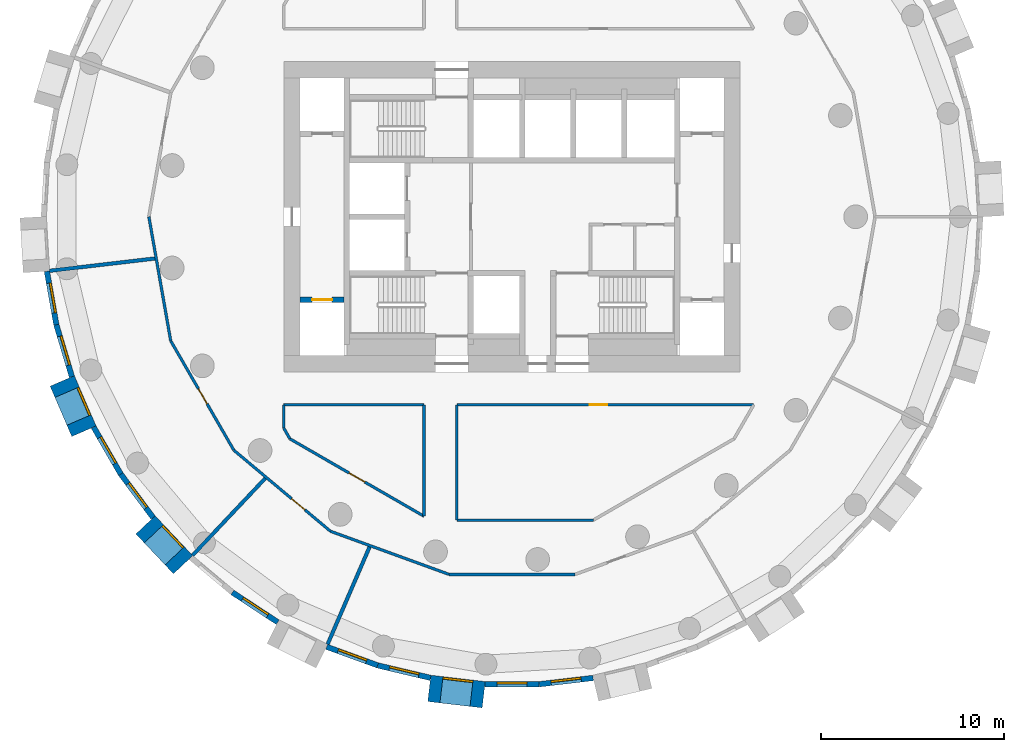
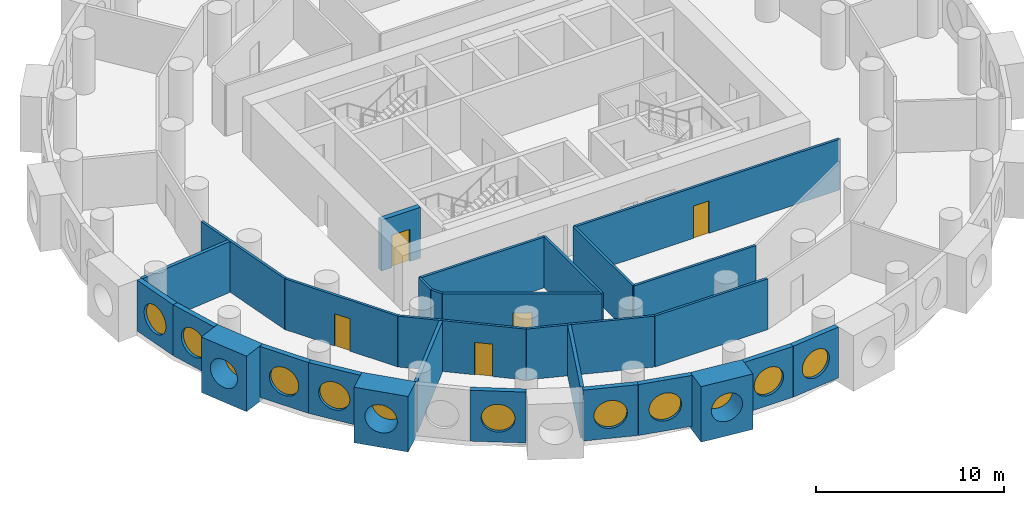
# One storey, part 2 of 9: 29 walls, 12 windows, 5 doors, 17 openings.
"""IFC4 building model written with IfcOpenShell, lengths in metres."""

import ifcopenshell
import ifcopenshell.guid

model = None  # the IFC model being written
_history = None  # IfcOwnerHistory: only IFC2X3 demands one
_inside = {}  # id of a spatial element -> (the spatial element, [elements in it])
_under = {}  # id of a project, library or spatial element -> (it, [spatial elements below it])
_declared = {}  # id of a project -> (the project, [libraries it declares])
_typed = {}  # id of a type object -> (the type object, [elements of that type])
_made_of = {}  # id of a material, layer set ... -> (it, [elements and type objects made of it])


def new_model(schema):
    """Start an empty IFC model of exactly this schema.

    Asked for "IFC4X3", IfcOpenShell would pick the latest addendum, in which some entities
    have other attributes; the version numbers below select the first issue.
    IFC2X3 requires an IfcOwnerHistory on every rooted entity: one is made here for all.
    """
    global model, _history
    if schema == "IFC4X3":
        model = ifcopenshell.file(schema_version=(4, 3, 0, 0))
    else:
        model = ifcopenshell.file(schema=schema)
    _inside.clear()
    _under.clear()
    _declared.clear()
    _typed.clear()
    _made_of.clear()
    _history = None
    if model.schema == "IFC2X3":
        org = make("IfcOrganization", Name="unknown")
        user = make(
            "IfcPersonAndOrganization",
            ThePerson=make("IfcPerson", FamilyName="unknown"),
            TheOrganization=org,
        )
        app = make(
            "IfcApplication",
            ApplicationDeveloper=org,
            Version="unknown",
            ApplicationFullName="unknown",
            ApplicationIdentifier="unknown",
        )
        _history = make(
            "IfcOwnerHistory",
            OwningUser=user,
            OwningApplication=app,
            ChangeAction="ADDED",
            CreationDate=0,
        )
    return model


def make(cls, **values):
    """One entity of the class cls with the attributes given. An attribute that is None is left unset."""
    return model.create_entity(
        cls, **{name: value for name, value in values.items() if value is not None}
    )


def rooted(cls, **values):
    """An entity with a GlobalId (a new one), such as an element, a storey or a relation."""
    return make(cls, GlobalId=ifcopenshell.guid.new(), OwnerHistory=_history, **values)


def si_unit(unit_type, name, prefix=None):
    """IfcSIUnit, for example si_unit("LENGTHUNIT", "METRE", prefix="MILLI")."""
    return make("IfcSIUnit", UnitType=unit_type, Prefix=prefix, Name=name)


def assignment(units):
    """IfcUnitAssignment: the units of a project."""
    return None if units is None else make("IfcUnitAssignment", Units=units)


def point(xyz):
    """IfcCartesianPoint."""
    return None if xyz is None else make("IfcCartesianPoint", Coordinates=xyz)


def direction(xyz):
    """IfcDirection."""
    return None if xyz is None else make("IfcDirection", DirectionRatios=xyz)


def frame(location, z_axis=None, x_axis=None):
    """IfcAxis2Placement3D, a coordinate frame: its origin and axes. An axis left out is left unset."""
    return make(
        "IfcAxis2Placement3D",
        Location=point(location),
        Axis=direction(z_axis),
        RefDirection=direction(x_axis),
    )


def frame_2d(location, x_axis=None):
    """IfcAxis2Placement2D, a coordinate frame in the plane: its origin and x axis."""
    return make(
        "IfcAxis2Placement2D", Location=point(location), RefDirection=direction(x_axis)
    )


def origin():
    """The frame at (0, 0, 0) with its axes left unset."""
    return frame((0.0, 0.0, 0.0))


def origin_2d():
    """The frame at (0, 0) in the plane with its x axis left unset."""
    return frame_2d((0.0, 0.0))


def place(relative_to, where):
    """IfcLocalPlacement: puts the frame where relative to a parent placement (None: the world)."""
    return make(
        "IfcLocalPlacement", PlacementRelTo=relative_to, RelativePlacement=where
    )


def context(
    kind, dimensions, precision=None, world=None, true_north=None, identifier=None
):
    """IfcGeometricRepresentationContext, for example the 3D "Model" context."""
    return make(
        "IfcGeometricRepresentationContext",
        ContextIdentifier=identifier,
        ContextType=kind,
        CoordinateSpaceDimension=dimensions,
        Precision=precision,
        WorldCoordinateSystem=world,
        TrueNorth=true_north,
    )


def subcontext(parent, identifier, kind, view, scale=None):
    """IfcGeometricRepresentationSubContext, for example "Body" below "Model"."""
    return make(
        "IfcGeometricRepresentationSubContext",
        ContextIdentifier=identifier,
        ContextType=kind,
        ParentContext=parent,
        TargetScale=scale,
        TargetView=view,
    )


def project(units=None, contexts=None):
    """IfcProject with its units and contexts."""
    return rooted(
        "IfcProject",
        Name="project",
        RepresentationContexts=contexts,
        UnitsInContext=assignment(units),
    )


def spatial(cls, under=None, at=None, **own):
    """A site, building, storey or space (cls), placed at a placement, below another one or the project."""
    s = rooted(cls, ObjectPlacement=at, **own)
    if under is not None:
        _under.setdefault(under.id(), (under, []))[1].append(s)
    return s


def profile(cls, at=None, kind="AREA", **sizes):
    """A parametric profile (cls). Its sizes go by their IFC names, for example OverallWidth=200.0."""
    return make(cls, ProfileType=kind, Position=at, **sizes)


def rectangle(**sizes):
    """IfcRectangleProfileDef."""
    return profile("IfcRectangleProfileDef", **sizes)


def circle(**sizes):
    """IfcCircleProfileDef."""
    return profile("IfcCircleProfileDef", **sizes)


def extrude(swept, where, along, depth):
    """IfcExtrudedAreaSolid: the profile swept, set in the frame where, extruded along a direction by depth."""
    return make(
        "IfcExtrudedAreaSolid",
        SweptArea=swept,
        Position=where,
        ExtrudedDirection=direction(along),
        Depth=depth,
    )


def shape(context_of_items, identifier, shape_type, items):
    """IfcShapeRepresentation: the items that make up one representation, for example the "Body"."""
    return make(
        "IfcShapeRepresentation",
        ContextOfItems=context_of_items,
        RepresentationIdentifier=identifier,
        RepresentationType=shape_type,
        Items=items,
    )


def material(Name=None, Category=None):
    """IfcMaterial."""
    return make("IfcMaterial", Name=Name, Category=Category)


def layer(
    of_material, thickness, ventilated=None, Name=None, Category=None, Priority=None
):
    """IfcMaterialLayer: one layer of a wall or slab, of a material (None: an air gap)."""
    return make(
        "IfcMaterialLayer",
        Material=of_material,
        LayerThickness=thickness,
        IsVentilated=ventilated,
        Name=Name,
        Category=Category,
        Priority=Priority,
    )


def layer_set(layers, Name=None):
    """IfcMaterialLayerSet."""
    return make("IfcMaterialLayerSet", MaterialLayers=layers, LayerSetName=Name)


def made_of(thing, what):
    """Note that an element or type object is made of a material, layer set ...; save() writes the relation."""
    if what is not None:
        _made_of.setdefault(what.id(), (what, []))[1].append(thing)
    return thing


def type_object(cls, material=None, **own):
    """A type object (cls), such as IfcWallType, which elements share."""
    return made_of(rooted(cls, **own), material)


def element(
    cls,
    number,
    at=None,
    inside=None,
    cuts=None,
    type_object=None,
    material=None,
    context=None,
    identifier="Body",
    shape_type=None,
    held_by="IfcProductDefinitionShape",
    body=None,
    shapes=None,
    **own,
):
    """One element of the class cls, such as IfcWall. Its Tag is "e" and its number.

    at: its placement. inside: the storey or other place that contains it. cuts: it is an
    opening in that element (IfcRelVoidsElement). A single representation is given by context,
    identifier, shape_type and body (its items); several are given by shapes. held_by: the class
    of the entity that holds the representations. save() writes the other relations.
    """
    e = rooted(cls, Tag="e%d" % number, ObjectPlacement=at, **own)
    if body is not None:
        shapes = [shape(context, identifier, shape_type, body)]
    if shapes is not None:
        e.Representation = make(held_by, Representations=shapes)
    if inside is not None:
        _inside.setdefault(inside.id(), (inside, []))[1].append(e)
    if cuts is not None:
        rooted(
            "IfcRelVoidsElement", RelatingBuildingElement=cuts, RelatedOpeningElement=e
        )
    if type_object is not None:
        _typed.setdefault(type_object.id(), (type_object, []))[1].append(e)
    return made_of(e, material)


def fill(opening, filler):
    """IfcRelFillsElement: the door or window that sits in an opening."""
    return rooted(
        "IfcRelFillsElement",
        RelatingOpeningElement=opening,
        RelatedBuildingElement=filler,
    )


def aggregate(whole, parts):
    """IfcRelAggregates: a whole, such as a stair, and the parts it consists of."""
    return rooted("IfcRelAggregates", RelatingObject=whole, RelatedObjects=parts)


def save(model, path):
    """Write the relations noted so far, then the file.

    IfcRelAggregates (storeys below a building ...), IfcRelContainedInSpatialStructure (elements
    in a storey), IfcRelDefinesByType, IfcRelAssociatesMaterial and IfcRelDeclares: one each for
    every whole, place, type object, material and project.
    """
    for whole, parts in _under.values():
        aggregate(whole, parts)
    for where, things in _inside.values():
        rooted(
            "IfcRelContainedInSpatialStructure",
            RelatedElements=things,
            RelatingStructure=where,
        )
    for kind, things in _typed.values():
        rooted("IfcRelDefinesByType", RelatedObjects=things, RelatingType=kind)
    for what, things in _made_of.values():
        rooted("IfcRelAssociatesMaterial", RelatedObjects=things, RelatingMaterial=what)
    for by, libraries in _declared.values():
        rooted("IfcRelDeclares", RelatingContext=by, RelatedDefinitions=libraries)
    model.write(path)


model = new_model("IFC4")

# Units and contexts
model_context = context("Model", 3, precision=1e-05, world=origin(), true_north=direction((0.0, 1.0)))
body_context = subcontext(model_context, "Body", "Model", "MODEL_VIEW")
ifc_project = project(units=[si_unit("LENGTHUNIT", "METRE"), si_unit("AREAUNIT", "SQUARE_METRE"), si_unit("VOLUMEUNIT", "CUBIC_METRE"), si_unit("PLANEANGLEUNIT", "RADIAN"), si_unit("MASSUNIT", "GRAM", prefix="KILO")], contexts=[model_context])

# Site, building, storey
site_placement = place(None, origin())
site = spatial("IfcSite", under=ifc_project, at=site_placement, CompositionType="ELEMENT")
building_placement = place(site_placement, origin())
building = spatial("IfcBuilding", under=site, at=building_placement, Name="Tracery Tower", CompositionType="ELEMENT")
storey_placement = place(building_placement, frame((0.0, 0.0, 147.60009765625)))
storey = spatial("IfcBuildingStorey", under=building, at=storey_placement, Name="L37", CompositionType="ELEMENT", Elevation=147.60009765625)

# Wall, opening, window
ifc_material_1 = material(Name="Precast concrete C50/60", Category="concrete")
ifc_layer_1 = layer(ifc_material_1, 1.449951171875)
ifc_layer_set_1 = layer_set([ifc_layer_1], Name="Deep-set bay unit 3000 x 3600, slab edge 300")
wall_type_1 = type_object("IfcWallType", Name="Deep-set bay unit 3000 x 3600, slab edge 300", PredefinedType="ELEMENTEDWALL", material=ifc_layer_set_1)
wall_1_placement = place(storey_placement, frame((-24.632080078125, -8.99169921875, -0.300048828125), z_axis=(0.0, 0.0, 1.0), x_axis=(0.396079003245, -0.918216435917, 0.0)))
wall_1 = element("IfcWall", 1, at=wall_1_placement, inside=storey, type_object=wall_type_1, Name="Deep-set bay unit 31 at L37", PredefinedType="ELEMENTEDWALL", context=body_context, shape_type="SweptSolid", body=[
    extrude(rectangle(XDim=3.0, YDim=1.449951171875, at=frame_2d((1.5, 0.0))), origin(), (0.0, 0.0, 1.0), 3.599853515625),
])
opening_1_placement = place(wall_1_placement, frame((1.5, 0.0, 1.85009765625)))
opening_1 = element("IfcOpeningElement", 2, at=opening_1_placement, cuts=wall_1, Name="Opening WN1", PredefinedType="OPENING", context=body_context, shape_type="SweptSolid", body=[
    extrude(circle(Radius=0.9000244140625, at=origin_2d()), frame((0.0, 0.73486328125, 0.0), z_axis=(0.0, -1.0, 0.0), x_axis=(1.0, 0.0, 0.0)), (0.0, 0.0, 1.0), 1.469970703125),
])
ifc_material_2 = material(Name="Aluminium frame with tinted double glazing", Category="aluminium")
window_type = type_object("IfcWindowType", Name="Round window 1800", PartitioningType="SINGLE_PANEL", PredefinedType="WINDOW", material=ifc_material_2)
window_1_placement = place(opening_1_placement, origin())
window_1 = element("IfcWindow", 3, at=window_1_placement, inside=storey, type_object=window_type, Name="Round window 31 at L37", OverallHeight=1.800048828125, OverallWidth=1.800048828125, PartitioningType="SINGLE_PANEL", PredefinedType="WINDOW", context=body_context, shape_type="SweptSolid", body=[
    extrude(circle(Radius=0.9000244140625, at=origin_2d()), frame((0.0, 0.69482421875, 0.0), z_axis=(0.0, -1.0, 0.0), x_axis=(1.0, 0.0, 0.0)), (0.0, 0.0, 1.0), 0.10009765625),
])
fill(opening_1, window_1)

wall_2_placement = place(storey_placement, frame((-20.0712890625, -16.8740234375, -0.300048828125), z_axis=(0.0, 0.0, 1.0), x_axis=(0.686217177108, -0.727396718334, 0.0)))
wall_2 = element("IfcWall", 4, at=wall_2_placement, inside=storey, type_object=wall_type_1, Name="Deep-set bay unit 34 at L37", PredefinedType="ELEMENTEDWALL", context=body_context, shape_type="SweptSolid", body=[
    extrude(rectangle(XDim=3.0, YDim=1.449951171875, at=frame_2d((1.5, 0.0))), origin(), (0.0, 0.0, 1.0), 3.599853515625),
])
opening_2_placement = place(wall_2_placement, frame((1.5, 0.0, 1.85009765625)))
opening_2 = element("IfcOpeningElement", 5, at=opening_2_placement, cuts=wall_2, Name="Opening WN1", PredefinedType="OPENING", context=body_context, shape_type="SweptSolid", body=[
    extrude(circle(Radius=0.9000244140625, at=origin_2d()), frame((0.0, 0.73486328125, 0.0), z_axis=(0.0, -1.0, 0.0), x_axis=(1.0, 0.0, 0.0)), (0.0, 0.0, 1.0), 1.469970703125),
])
window_2_placement = place(opening_2_placement, origin())
window_2 = element("IfcWindow", 6, at=window_2_placement, inside=storey, type_object=window_type, Name="Round window 34 at L37", OverallHeight=1.800048828125, OverallWidth=1.800048828125, PartitioningType="SINGLE_PANEL", PredefinedType="WINDOW", context=body_context, shape_type="SweptSolid", body=[
    extrude(circle(Radius=0.9000244140625, at=origin_2d()), frame((0.0, 0.69482421875, 0.0), z_axis=(0.0, -1.0, 0.0), x_axis=(1.0, 0.0, 0.0)), (0.0, 0.0, 1.0), 0.10009765625),
])
fill(opening_2, window_2)

wall_3_placement = place(storey_placement, frame((-4.529052734375, -25.827880859375, -0.300048828125), z_axis=(0.0, 0.0, 1.0), x_axis=(0.9932342274, -0.116128246006, 0.0)))
wall_3 = element("IfcWall", 7, at=wall_3_placement, inside=storey, type_object=wall_type_1, Name="Deep-set bay unit 40 at L37", PredefinedType="ELEMENTEDWALL", context=body_context, shape_type="SweptSolid", body=[
    extrude(rectangle(XDim=3.0, YDim=1.449951171875, at=frame_2d((1.5, 0.0))), origin(), (0.0, 0.0, 1.0), 3.599853515625),
])
opening_3_placement = place(wall_3_placement, frame((1.5, 0.0, 1.85009765625)))
opening_3 = element("IfcOpeningElement", 8, at=opening_3_placement, cuts=wall_3, Name="Opening WN1", PredefinedType="OPENING", context=body_context, shape_type="SweptSolid", body=[
    extrude(circle(Radius=0.9000244140625, at=origin_2d()), frame((0.0, 0.73486328125, 0.0), z_axis=(0.0, -1.0, 0.0), x_axis=(1.0, 0.0, 0.0)), (0.0, 0.0, 1.0), 1.469970703125),
])
window_3_placement = place(opening_3_placement, origin())
window_3 = element("IfcWindow", 9, at=window_3_placement, inside=storey, type_object=window_type, Name="Round window 40 at L37", OverallHeight=1.800048828125, OverallWidth=1.800048828125, PartitioningType="SINGLE_PANEL", PredefinedType="WINDOW", context=body_context, shape_type="SweptSolid", body=[
    extrude(circle(Radius=0.9000244140625, at=origin_2d()), frame((0.0, 0.69482421875, 0.0), z_axis=(0.0, -1.0, 0.0), x_axis=(1.0, 0.0, 0.0)), (0.0, 0.0, 1.0), 0.10009765625),
])
fill(opening_3, window_3)

ifc_material_3 = material(Name="Precast concrete C50/60", Category="concrete")
ifc_layer_2 = layer(ifc_material_3, 0.300048828125)
ifc_layer_set_2 = layer_set([ifc_layer_2], Name="Facade panel 3000 x 3300")
wall_type_2 = type_object("IfcWallType", Name="Facade panel 3000 x 3300", PredefinedType="SOLIDWALL", material=ifc_layer_set_2)
wall_4_placement = place(storey_placement, frame((-25.472412109375, -2.987060546875, 0.0), z_axis=(0.0, 0.0, 1.0), x_axis=(0.173686952598, -0.984800915159, 0.0)))
wall_4 = element("IfcWall", 10, at=wall_4_placement, inside=storey, type_object=wall_type_2, Name="Facade panel 29 at L37", PredefinedType="SOLIDWALL", context=body_context, shape_type="SweptSolid", body=[
    extrude(rectangle(XDim=2.972900390625, YDim=0.300048828125, at=frame_2d((1.486328125, 0.0))), origin(), (0.0, 0.0, 1.0), 3.2998046875),
])
opening_4_placement = place(wall_4_placement, frame((1.486328125, 0.0, 1.5498046875)))
opening_4 = element("IfcOpeningElement", 11, at=opening_4_placement, cuts=wall_4, Name="Opening WN1", PredefinedType="OPENING", context=body_context, shape_type="SweptSolid", body=[
    extrude(circle(Radius=0.9000244140625, at=origin_2d()), frame((0.0, 0.159912109375, 0.0), z_axis=(0.0, -1.0, 0.0), x_axis=(1.0, 0.0, 0.0)), (0.0, 0.0, 1.0), 0.320068359375),
])
window_4_placement = place(opening_4_placement, origin())
window_4 = element("IfcWindow", 12, at=window_4_placement, inside=storey, type_object=window_type, Name="Round window 29 at L37", OverallHeight=1.800048828125, OverallWidth=1.800048828125, PartitioningType="SINGLE_PANEL", PredefinedType="WINDOW", context=body_context, shape_type="SweptSolid", body=[
    extrude(circle(Radius=0.9000244140625, at=origin_2d()), frame((0.0, 0.1201171875, 0.0), z_axis=(0.0, -1.0, 0.0), x_axis=(1.0, 0.0, 0.0)), (0.0, 0.0, 1.0), 0.10009765625),
])
fill(opening_4, window_4)

wall_5_placement = place(storey_placement, frame((-24.9560546875, -5.914794921875, 0.0), z_axis=(0.0, 0.0, 1.0), x_axis=(0.286782750849, -0.957995643944, 0.0)))
wall_5 = element("IfcWall", 13, at=wall_5_placement, inside=storey, type_object=wall_type_2, Name="Facade panel 30 at L37", PredefinedType="SOLIDWALL", context=body_context, shape_type="SweptSolid", body=[
    extrude(rectangle(XDim=2.97265625, YDim=0.300048828125, at=frame_2d((1.486328125, 0.0))), origin(), (0.0, 0.0, 1.0), 3.2998046875),
])
opening_5_placement = place(wall_5_placement, frame((1.486328125, 0.0, 1.5498046875)))
opening_5 = element("IfcOpeningElement", 14, at=opening_5_placement, cuts=wall_5, Name="Opening WN1", PredefinedType="OPENING", context=body_context, shape_type="SweptSolid", body=[
    extrude(circle(Radius=0.9000244140625, at=origin_2d()), frame((0.0, 0.159912109375, 0.0), z_axis=(0.0, -1.0, 0.0), x_axis=(1.0, 0.0, 0.0)), (0.0, 0.0, 1.0), 0.320068359375),
])
window_5_placement = place(opening_5_placement, origin())
window_5 = element("IfcWindow", 15, at=window_5_placement, inside=storey, type_object=window_type, Name="Round window 30 at L37", OverallHeight=1.800048828125, OverallWidth=1.800048828125, PartitioningType="SINGLE_PANEL", PredefinedType="WINDOW", context=body_context, shape_type="SweptSolid", body=[
    extrude(circle(Radius=0.9000244140625, at=origin_2d()), frame((0.0, 0.1201171875, 0.0), z_axis=(0.0, -1.0, 0.0), x_axis=(1.0, 0.0, 0.0)), (0.0, 0.0, 1.0), 0.10009765625),
])
fill(opening_5, window_5)

wall_6_placement = place(storey_placement, frame((-22.91455078125, -11.518798828125, 0.0), z_axis=(0.0, 0.0, 1.0), x_axis=(0.499954672104, -0.866051572276, 0.0)))
wall_6 = element("IfcWall", 16, at=wall_6_placement, inside=storey, type_object=wall_type_2, Name="Facade panel 32 at L37", PredefinedType="SOLIDWALL", context=body_context, shape_type="SweptSolid", body=[
    extrude(rectangle(XDim=2.972900390625, YDim=0.300048828125, at=frame_2d((1.486328125, 0.0))), origin(), (0.0, 0.0, 1.0), 3.2998046875),
])
opening_6_placement = place(wall_6_placement, frame((1.486328125, 0.0, 1.5498046875)))
opening_6 = element("IfcOpeningElement", 17, at=opening_6_placement, cuts=wall_6, Name="Opening WN1", PredefinedType="OPENING", context=body_context, shape_type="SweptSolid", body=[
    extrude(circle(Radius=0.9000244140625, at=origin_2d()), frame((0.0, 0.159912109375, 0.0), z_axis=(0.0, -1.0, 0.0), x_axis=(1.0, 0.0, 0.0)), (0.0, 0.0, 1.0), 0.320068359375),
])
window_6_placement = place(opening_6_placement, origin())
window_6 = element("IfcWindow", 18, at=window_6_placement, inside=storey, type_object=window_type, Name="Round window 32 at L37", OverallHeight=1.800048828125, OverallWidth=1.800048828125, PartitioningType="SINGLE_PANEL", PredefinedType="WINDOW", context=body_context, shape_type="SweptSolid", body=[
    extrude(circle(Radius=0.9000244140625, at=origin_2d()), frame((0.0, 0.1201171875, 0.0), z_axis=(0.0, -1.0, 0.0), x_axis=(1.0, 0.0, 0.0)), (0.0, 0.0, 1.0), 0.10009765625),
])
fill(opening_6, window_6)

wall_7_placement = place(storey_placement, frame((-21.42822265625, -14.093505859375, 0.0), z_axis=(0.0, 0.0, 1.0), x_axis=(0.597197580538, -0.80209416517, 0.0)))
wall_7 = element("IfcWall", 19, at=wall_7_placement, inside=storey, type_object=wall_type_2, Name="Facade panel 33 at L37", PredefinedType="SOLIDWALL", context=body_context, shape_type="SweptSolid", body=[
    extrude(rectangle(XDim=2.972900390625, YDim=0.300048828125, at=frame_2d((1.486328125, 0.0))), origin(), (0.0, 0.0, 1.0), 3.2998046875),
])
opening_7_placement = place(wall_7_placement, frame((1.486328125, 0.0, 1.5498046875)))
opening_7 = element("IfcOpeningElement", 20, at=opening_7_placement, cuts=wall_7, Name="Opening WN1", PredefinedType="OPENING", context=body_context, shape_type="SweptSolid", body=[
    extrude(circle(Radius=0.9000244140625, at=origin_2d()), frame((0.0, 0.159912109375, 0.0), z_axis=(0.0, -1.0, 0.0), x_axis=(1.0, 0.0, 0.0)), (0.0, 0.0, 1.0), 0.320068359375),
])
window_7_placement = place(opening_7_placement, origin())
window_7 = element("IfcWindow", 21, at=window_7_placement, inside=storey, type_object=window_type, Name="Round window 33 at L37", OverallHeight=1.800048828125, OverallWidth=1.800048828125, PartitioningType="SINGLE_PANEL", PredefinedType="WINDOW", context=body_context, shape_type="SweptSolid", body=[
    extrude(circle(Radius=0.9000244140625, at=origin_2d()), frame((0.0, 0.1201171875, 0.0), z_axis=(0.0, -1.0, 0.0), x_axis=(1.0, 0.0, 0.0)), (0.0, 0.0, 1.0), 0.10009765625),
])
fill(opening_7, window_7)

wall_8_placement = place(storey_placement, frame((-15.315673828125, -20.572509765625, 0.0), z_axis=(0.0, 0.0, 1.0), x_axis=(0.835508361394, -0.54947773207, 0.0)))
wall_8 = element("IfcWall", 22, at=wall_8_placement, inside=storey, type_object=wall_type_2, Name="Facade panel 36 at L37", PredefinedType="SOLIDWALL", context=body_context, shape_type="SweptSolid", body=[
    extrude(rectangle(XDim=2.972900390625, YDim=0.300048828125, at=frame_2d((1.486328125, 0.0))), origin(), (0.0, 0.0, 1.0), 3.2998046875),
])
opening_8_placement = place(wall_8_placement, frame((1.486328125, 0.0, 1.5498046875)))
opening_8 = element("IfcOpeningElement", 23, at=opening_8_placement, cuts=wall_8, Name="Opening WN1", PredefinedType="OPENING", context=body_context, shape_type="SweptSolid", body=[
    extrude(circle(Radius=0.9000244140625, at=origin_2d()), frame((0.0, 0.159912109375, 0.0), z_axis=(0.0, -1.0, 0.0), x_axis=(1.0, 0.0, 0.0)), (0.0, 0.0, 1.0), 0.320068359375),
])
window_8_placement = place(opening_8_placement, origin())
window_8 = element("IfcWindow", 24, at=window_8_placement, inside=storey, type_object=window_type, Name="Round window 36 at L37", OverallHeight=1.800048828125, OverallWidth=1.800048828125, PartitioningType="SINGLE_PANEL", PredefinedType="WINDOW", context=body_context, shape_type="SweptSolid", body=[
    extrude(circle(Radius=0.9000244140625, at=origin_2d()), frame((0.0, 0.1201171875, 0.0), z_axis=(0.0, -1.0, 0.0), x_axis=(1.0, 0.0, 0.0)), (0.0, 0.0, 1.0), 0.10009765625),
])
fill(opening_8, window_8)

wall_9_placement = place(storey_placement, frame((-10.1494140625, -23.55322265625, 0.0), z_axis=(0.0, 0.0, 1.0), x_axis=(0.939690282133, -0.342026568652, 0.0)))
wall_9 = element("IfcWall", 25, at=wall_9_placement, inside=storey, type_object=wall_type_2, Name="Facade panel 38 at L37", PredefinedType="SOLIDWALL", context=body_context, shape_type="SweptSolid", body=[
    extrude(rectangle(XDim=2.972900390625, YDim=0.300048828125, at=frame_2d((1.486328125, 0.0))), origin(), (0.0, 0.0, 1.0), 3.2998046875),
])
opening_9_placement = place(wall_9_placement, frame((1.486328125, 0.0, 1.5498046875)))
opening_9 = element("IfcOpeningElement", 26, at=opening_9_placement, cuts=wall_9, Name="Opening WN1", PredefinedType="OPENING", context=body_context, shape_type="SweptSolid", body=[
    extrude(circle(Radius=0.9000244140625, at=origin_2d()), frame((0.0, 0.159912109375, 0.0), z_axis=(0.0, -1.0, 0.0), x_axis=(1.0, 0.0, 0.0)), (0.0, 0.0, 1.0), 0.320068359375),
])
window_9_placement = place(opening_9_placement, origin())
window_9 = element("IfcWindow", 27, at=window_9_placement, inside=storey, type_object=window_type, Name="Round window 38 at L37", OverallHeight=1.800048828125, OverallWidth=1.800048828125, PartitioningType="SINGLE_PANEL", PredefinedType="WINDOW", context=body_context, shape_type="SweptSolid", body=[
    extrude(circle(Radius=0.9000244140625, at=origin_2d()), frame((0.0, 0.1201171875, 0.0), z_axis=(0.0, -1.0, 0.0), x_axis=(1.0, 0.0, 0.0)), (0.0, 0.0, 1.0), 0.10009765625),
])
fill(opening_9, window_9)

wall_10_placement = place(storey_placement, frame((-7.355712890625, -24.570068359375, 0.0), z_axis=(0.0, 0.0, 1.0), x_axis=(0.973045378923, -0.230613725862, 0.0)))
wall_10 = element("IfcWall", 28, at=wall_10_placement, inside=storey, type_object=wall_type_2, Name="Facade panel 39 at L37", PredefinedType="SOLIDWALL", context=body_context, shape_type="SweptSolid", body=[
    extrude(rectangle(XDim=2.97265625, YDim=0.300048828125, at=frame_2d((1.486328125, 0.0))), origin(), (0.0, 0.0, 1.0), 3.2998046875),
])
opening_10_placement = place(wall_10_placement, frame((1.486328125, 0.0, 1.5498046875)))
opening_10 = element("IfcOpeningElement", 29, at=opening_10_placement, cuts=wall_10, Name="Opening WN1", PredefinedType="OPENING", context=body_context, shape_type="SweptSolid", body=[
    extrude(circle(Radius=0.9000244140625, at=origin_2d()), frame((0.0, 0.159912109375, 0.0), z_axis=(0.0, -1.0, 0.0), x_axis=(1.0, 0.0, 0.0)), (0.0, 0.0, 1.0), 0.320068359375),
])
window_10_placement = place(opening_10_placement, origin())
window_10 = element("IfcWindow", 30, at=window_10_placement, inside=storey, type_object=window_type, Name="Round window 39 at L37", OverallHeight=1.800048828125, OverallWidth=1.800048828125, PartitioningType="SINGLE_PANEL", PredefinedType="WINDOW", context=body_context, shape_type="SweptSolid", body=[
    extrude(circle(Radius=0.9000244140625, at=origin_2d()), frame((0.0, 0.1201171875, 0.0), z_axis=(0.0, -1.0, 0.0), x_axis=(1.0, 0.0, 0.0)), (0.0, 0.0, 1.0), 0.10009765625),
])
fill(opening_10, window_10)

wall_11_placement = place(storey_placement, frame((-1.481689453125, -25.60400390625, 0.0), z_axis=(0.0, 0.0, 1.0), x_axis=(1.0, 0.0, 0.0)))
wall_11 = element("IfcWall", 31, at=wall_11_placement, inside=storey, type_object=wall_type_2, Name="Facade panel 41 at L37", PredefinedType="SOLIDWALL", context=body_context, shape_type="SweptSolid", body=[
    extrude(rectangle(XDim=2.972900390625, YDim=0.300048828125, at=frame_2d((1.486328125, 0.0))), origin(), (0.0, 0.0, 1.0), 3.2998046875),
])
opening_11_placement = place(wall_11_placement, frame((1.486328125, 0.0, 1.5498046875)))
opening_11 = element("IfcOpeningElement", 32, at=opening_11_placement, cuts=wall_11, Name="Opening WN1", PredefinedType="OPENING", context=body_context, shape_type="SweptSolid", body=[
    extrude(circle(Radius=0.9000244140625, at=origin_2d()), frame((0.0, 0.159912109375, 0.0), z_axis=(0.0, -1.0, 0.0), x_axis=(1.0, 0.0, 0.0)), (0.0, 0.0, 1.0), 0.320068359375),
])
window_11_placement = place(opening_11_placement, origin())
window_11 = element("IfcWindow", 33, at=window_11_placement, inside=storey, type_object=window_type, Name="Round window 41 at L37", OverallHeight=1.800048828125, OverallWidth=1.800048828125, PartitioningType="SINGLE_PANEL", PredefinedType="WINDOW", context=body_context, shape_type="SweptSolid", body=[
    extrude(circle(Radius=0.9000244140625, at=origin_2d()), frame((0.0, 0.1201171875, 0.0), z_axis=(0.0, -1.0, 0.0), x_axis=(1.0, 0.0, 0.0)), (0.0, 0.0, 1.0), 0.10009765625),
])
fill(opening_11, window_11)

wall_12_placement = place(storey_placement, frame((1.4912109375, -25.60400390625, 0.0), z_axis=(0.0, 0.0, 1.0), x_axis=(0.993245010522, 0.1160359818, 0.0)))
wall_12 = element("IfcWall", 34, at=wall_12_placement, inside=storey, type_object=wall_type_2, Name="Facade panel 42 at L37", PredefinedType="SOLIDWALL", context=body_context, shape_type="SweptSolid", body=[
    extrude(rectangle(XDim=2.972900390625, YDim=0.300048828125, at=frame_2d((1.486328125, 0.0))), origin(), (0.0, 0.0, 1.0), 3.2998046875),
])
opening_12_placement = place(wall_12_placement, frame((1.486328125, 0.0, 1.5498046875)))
opening_12 = element("IfcOpeningElement", 35, at=opening_12_placement, cuts=wall_12, Name="Opening WN1", PredefinedType="OPENING", context=body_context, shape_type="SweptSolid", body=[
    extrude(circle(Radius=0.9000244140625, at=origin_2d()), frame((0.0, 0.159912109375, 0.0), z_axis=(0.0, -1.0, 0.0), x_axis=(1.0, 0.0, 0.0)), (0.0, 0.0, 1.0), 0.320068359375),
])
window_12_placement = place(opening_12_placement, origin())
window_12 = element("IfcWindow", 36, at=window_12_placement, inside=storey, type_object=window_type, Name="Round window 42 at L37", OverallHeight=1.800048828125, OverallWidth=1.800048828125, PartitioningType="SINGLE_PANEL", PredefinedType="WINDOW", context=body_context, shape_type="SweptSolid", body=[
    extrude(circle(Radius=0.9000244140625, at=origin_2d()), frame((0.0, 0.1201171875, 0.0), z_axis=(0.0, -1.0, 0.0), x_axis=(1.0, 0.0, 0.0)), (0.0, 0.0, 1.0), 0.10009765625),
])
fill(opening_12, window_12)

# Wall
ifc_material_4 = material(Name="Plasterboard on steel studs", Category="steel")
ifc_layer_3 = layer(ifc_material_4, 0.14990234375)
ifc_layer_set_3 = layer_set([ifc_layer_3], Name="Partition 150 corridor wall")
wall_type_3 = type_object("IfcWallType", Name="Partition 150 corridor wall", PredefinedType="PARTITIONING", material=ifc_layer_set_3)
wall_13_placement = place(storey_placement, frame((-12.50390625, -10.300048828125, 0.0), z_axis=(0.0, 0.0, 1.0), x_axis=(1.0, 0.0, 0.0)))
element("IfcWall", 37, at=wall_13_placement, inside=storey, type_object=wall_type_3, Name="Corridor wall RB3-003", PredefinedType="PARTITIONING", context=body_context, shape_type="SweptSolid", body=[
    extrude(rectangle(XDim=7.68701171875, YDim=0.14990234375, at=frame_2d((3.843505859375, 0.0))), origin(), (0.0, 0.0, 1.0), 3.2998046875),
])

# Wall, opening, door
wall_14_placement = place(storey_placement, frame((-3.02490234375, -10.300048828125, 0.0), z_axis=(0.0, 0.0, 1.0), x_axis=(1.0, 0.0, 0.0)))
wall_14 = element("IfcWall", 38, at=wall_14_placement, inside=storey, type_object=wall_type_3, Name="Corridor wall RB3-004", PredefinedType="PARTITIONING", context=body_context, shape_type="SweptSolid", body=[
    extrude(rectangle(XDim=16.261962890625, YDim=0.14990234375, at=frame_2d((8.130859375, 0.0))), origin(), (0.0, 0.0, 1.0), 3.2998046875),
])
opening_13_placement = place(wall_14_placement, frame((7.287109375, 0.0, 0.0)))
opening_13 = element("IfcOpeningElement", 39, at=opening_13_placement, cuts=wall_14, Name="Opening RB3-04", PredefinedType="OPENING", context=body_context, shape_type="SweptSolid", body=[
    extrude(rectangle(XDim=0.949951171875, YDim=2.10009765625, at=frame_2d((0.47509765625, 1.050048828125))), frame((0.0, 0.074951171875, 0.0), z_axis=(0.0, -1.0, 0.0), x_axis=(1.0, 0.0, 0.0)), (0.0, 0.0, 1.0), 0.14990234375),
])
ifc_material_5 = material(Name="Timber door leaf", Category="wood")
door_type_1 = type_object("IfcDoorType", Name="Door store 950", OperationType="NOTDEFINED", PredefinedType="DOOR", material=ifc_material_5)
door_1_placement = place(opening_13_placement, origin())
door_1 = element("IfcDoor", 40, at=door_1_placement, inside=storey, type_object=door_type_1, Name="Store door RB3-04", OperationType="SINGLE_SWING_RIGHT", OverallHeight=2.10009765625, OverallWidth=0.949951171875, PredefinedType="DOOR", context=body_context, shape_type="SweptSolid", body=[
    extrude(rectangle(XDim=0.949951171875, YDim=2.10009765625, at=frame_2d((0.47509765625, 1.050048828125))), frame((0.0, 0.02490234375, 0.0), z_axis=(0.0, -1.0, 0.0), x_axis=(1.0, 0.0, 0.0)), (0.0, 0.0, 1.0), 0.050048828125),
])
fill(opening_13, door_1)

# Walls
wall_15_placement = place(storey_placement, frame((-12.5, -11.576904296875, 0.0), z_axis=(0.0, 0.0, 1.0), x_axis=(0.0, 1.0, 0.0)))
element("IfcWall", 41, at=wall_15_placement, inside=storey, type_object=wall_type_3, Name="Corridor wall RB3-024", PredefinedType="PARTITIONING", context=body_context, shape_type="SweptSolid", body=[
    extrude(rectangle(XDim=1.27685546875, YDim=0.14990234375, at=frame_2d((0.638427734375, 0.0))), origin(), (0.0, 0.0, 1.0), 3.2998046875),
])
wall_16_placement = place(storey_placement, frame((-12.5, -11.576904296875, 0.0), z_axis=(0.0, 0.0, 1.0), x_axis=(0.500024767483, -0.866011103799, 0.0)))
element("IfcWall", 42, at=wall_16_placement, inside=storey, type_object=wall_type_3, Name="Corridor wall RB3-025", PredefinedType="PARTITIONING", context=body_context, shape_type="SweptSolid", body=[
    extrude(rectangle(XDim=0.67578125, YDim=0.14990234375, at=frame_2d((0.337890625, 0.0))), origin(), (0.0, 0.0, 1.0), 3.2998046875),
])
wall_17_placement = place(storey_placement, frame((-19.887939453125, 0.0, 0.0), z_axis=(0.0, 0.0, 1.0), x_axis=(0.173482860149, -0.984836888644, 0.0)))
element("IfcWall", 43, at=wall_17_placement, inside=storey, type_object=wall_type_3, Name="Corridor wall RB3-027", PredefinedType="PARTITIONING", context=body_context, shape_type="SweptSolid", body=[
    extrude(rectangle(XDim=6.906982421875, YDim=0.14990234375, at=frame_2d((3.45361328125, 0.0))), origin(), (0.0, 0.0, 1.0), 3.2998046875),
])

# Wall, opening, door
wall_18_placement = place(storey_placement, frame((-15.235107421875, -12.783935546875, 0.0), z_axis=(0.0, 0.0, 1.0), x_axis=(0.766192104565, -0.642611592567, 0.0)))
wall_18 = element("IfcWall", 44, at=wall_18_placement, inside=storey, type_object=wall_type_3, Name="Corridor wall RB3-029", PredefinedType="PARTITIONING", context=body_context, shape_type="SweptSolid", body=[
    extrude(rectangle(XDim=6.906494140625, YDim=0.14990234375, at=frame_2d((3.453125, 0.0))), origin(), (0.0, 0.0, 1.0), 3.2998046875),
])
opening_14_placement = place(wall_18_placement, frame((4.132568359375, 0.0, 0.0)))
opening_14 = element("IfcOpeningElement", 45, at=opening_14_placement, cuts=wall_18, Name="Opening RB3-16", PredefinedType="OPENING", context=body_context, shape_type="SweptSolid", body=[
    extrude(rectangle(XDim=0.949951171875, YDim=2.10009765625, at=frame_2d((0.47509765625, 1.050048828125))), frame((0.0, 0.074951171875, 0.0), z_axis=(0.0, -1.0, 0.0), x_axis=(1.0, 0.0, 0.0)), (0.0, 0.0, 1.0), 0.14990234375),
])
door_2_placement = place(opening_14_placement, origin())
door_2 = element("IfcDoor", 46, at=door_2_placement, inside=storey, type_object=door_type_1, Name="Store door RB3-16", OperationType="SINGLE_SWING_LEFT", OverallHeight=2.10009765625, OverallWidth=0.949951171875, PredefinedType="DOOR", context=body_context, shape_type="SweptSolid", body=[
    extrude(rectangle(XDim=0.949951171875, YDim=2.10009765625, at=frame_2d((0.47509765625, 1.050048828125))), frame((0.0, 0.02490234375, 0.0), z_axis=(0.0, -1.0, 0.0), x_axis=(1.0, 0.0, 0.0)), (0.0, 0.0, 1.0), 0.050048828125),
])
fill(opening_14, door_2)

wall_19_placement = place(storey_placement, frame((-18.68798828125, -6.802001953125, 0.0), z_axis=(0.0, 0.0, 1.0), x_axis=(0.499914202267, -0.866074933462, 0.0)))
wall_19 = element("IfcWall", 47, at=wall_19_placement, inside=storey, type_object=wall_type_3, Name="Corridor wall RB3-030", PredefinedType="PARTITIONING", context=body_context, shape_type="SweptSolid", body=[
    extrude(rectangle(XDim=6.906982421875, YDim=0.14990234375, at=frame_2d((3.45361328125, 0.0))), origin(), (0.0, 0.0, 1.0), 3.2998046875),
])
opening_15_placement = place(wall_19_placement, frame((3.028076171875, 0.0, 0.0)))
opening_15 = element("IfcOpeningElement", 48, at=opening_15_placement, cuts=wall_19, Name="Opening RB3-15", PredefinedType="OPENING", context=body_context, shape_type="SweptSolid", body=[
    extrude(rectangle(XDim=0.949951171875, YDim=2.10009765625, at=frame_2d((0.47509765625, 1.050048828125))), frame((0.0, 0.074951171875, 0.0), z_axis=(0.0, -1.0, 0.0), x_axis=(1.0, 0.0, 0.0)), (0.0, 0.0, 1.0), 0.14990234375),
])
door_3_placement = place(opening_15_placement, origin())
door_3 = element("IfcDoor", 49, at=door_3_placement, inside=storey, type_object=door_type_1, Name="Store door RB3-15", OperationType="SINGLE_SWING_LEFT", OverallHeight=2.10009765625, OverallWidth=0.949951171875, PredefinedType="DOOR", context=body_context, shape_type="SweptSolid", body=[
    extrude(rectangle(XDim=0.949951171875, YDim=2.10009765625, at=frame_2d((0.47509765625, 1.050048828125))), frame((0.0, 0.02490234375, 0.0), z_axis=(0.0, -1.0, 0.0), x_axis=(1.0, 0.0, 0.0)), (0.0, 0.0, 1.0), 0.050048828125),
])
fill(opening_15, door_3)

wall_20_placement = place(storey_placement, frame((-12.162109375, -12.162109375, 0.0), z_axis=(0.0, 0.0, 1.0), x_axis=(0.866004766557, -0.500035743023, 0.0)))
wall_20 = element("IfcWall", 50, at=wall_20_placement, inside=storey, type_object=wall_type_3, Name="Corridor wall RB3-031", PredefinedType="PARTITIONING", context=body_context, shape_type="SweptSolid", body=[
    extrude(rectangle(XDim=8.47705078125, YDim=0.14990234375, at=frame_2d((4.238525390625, 0.0))), origin(), (0.0, 0.0, 1.0), 3.2998046875),
])
opening_16_placement = place(wall_20_placement, frame((3.738037109375, 0.0, 0.0)))
opening_16 = element("IfcOpeningElement", 51, at=opening_16_placement, cuts=wall_20, Name="Opening RB3-03", PredefinedType="OPENING", context=body_context, shape_type="SweptSolid", body=[
    extrude(rectangle(XDim=1.0, YDim=2.0400390625, at=frame_2d((0.5, 1.02001953125))), frame((0.0, 0.074951171875, 0.0), z_axis=(0.0, -1.0, 0.0), x_axis=(1.0, 0.0, 0.0)), (0.0, 0.0, 1.0), 0.14990234375),
])
ifc_material_6 = material(Name="Timber door leaf", Category="wood")
door_type_2 = type_object("IfcDoorType", Name="Door communal room 1000", OperationType="NOTDEFINED", PredefinedType="DOOR", material=ifc_material_6)
door_4_placement = place(opening_16_placement, origin())
door_4 = element("IfcDoor", 52, at=door_4_placement, inside=storey, type_object=door_type_2, Name="Communal room door RB3-03", OperationType="SINGLE_SWING_LEFT", OverallHeight=2.0400390625, OverallWidth=1.0, PredefinedType="DOOR", context=body_context, shape_type="SweptSolid", body=[
    extrude(rectangle(XDim=1.0, YDim=2.0400390625, at=frame_2d((0.5, 1.02001953125))), frame((0.0, 0.02490234375, 0.0), z_axis=(0.0, -1.0, 0.0), x_axis=(1.0, 0.0, 0.0)), (0.0, 0.0, 1.0), 0.050048828125),
])
fill(opening_16, door_4)

# Walls
wall_21_placement = place(storey_placement, frame((-4.821044921875, -16.40087890625, 0.0), z_axis=(0.0, 0.0, 1.0), x_axis=(0.0, 1.0, 0.0)))
element("IfcWall", 53, at=wall_21_placement, inside=storey, type_object=wall_type_3, Name="Corridor wall RB3-032", PredefinedType="PARTITIONING", context=body_context, shape_type="SweptSolid", body=[
    extrude(rectangle(XDim=6.100830078125, YDim=0.14990234375, at=frame_2d((3.05029296875, 0.0))), origin(), (0.0, 0.0, 1.0), 3.2998046875),
])
wall_22_placement = place(storey_placement, frame((-3.02099609375, -16.614013671875, 0.0), z_axis=(0.0, 0.0, 1.0), x_axis=(0.0, 1.0, 0.0)))
element("IfcWall", 54, at=wall_22_placement, inside=storey, type_object=wall_type_3, Name="Corridor wall RB3-033", PredefinedType="PARTITIONING", context=body_context, shape_type="SweptSolid", body=[
    extrude(rectangle(XDim=6.31396484375, YDim=0.14990234375, at=frame_2d((3.156982421875, 0.0))), origin(), (0.0, 0.0, 1.0), 3.2998046875),
])
wall_23_placement = place(storey_placement, frame((-3.02099609375, -16.614013671875, 0.0), z_axis=(0.0, 0.0, 1.0), x_axis=(1.0, 0.0, 0.0)))
element("IfcWall", 55, at=wall_23_placement, inside=storey, type_object=wall_type_3, Name="Corridor wall RB3-034", PredefinedType="PARTITIONING", context=body_context, shape_type="SweptSolid", body=[
    extrude(rectangle(XDim=7.472900390625, YDim=0.14990234375, at=frame_2d((3.736328125, 0.0))), origin(), (0.0, 0.0, 1.0), 3.2998046875),
])
wall_24_placement = place(storey_placement, frame((-9.944091796875, -17.222900390625, 0.0), z_axis=(0.0, 0.0, 1.0), x_axis=(0.939737689664, -0.341896292208, 0.0)))
element("IfcWall", 56, at=wall_24_placement, inside=storey, type_object=wall_type_3, Name="Corridor wall RB3-036", PredefinedType="PARTITIONING", context=body_context, shape_type="SweptSolid", body=[
    extrude(rectangle(XDim=6.907958984375, YDim=0.14990234375, at=frame_2d((3.4541015625, 0.0))), origin(), (0.0, 0.0, 1.0), 3.2998046875),
])
wall_25_placement = place(storey_placement, frame((-3.452880859375, -19.5859375, 0.0), z_axis=(0.0, 0.0, 1.0), x_axis=(1.0, 0.0, 0.0)))
element("IfcWall", 57, at=wall_25_placement, inside=storey, type_object=wall_type_3, Name="Corridor wall RB3-038", PredefinedType="PARTITIONING", context=body_context, shape_type="SweptSolid", body=[
    extrude(rectangle(XDim=6.90576171875, YDim=0.14990234375, at=frame_2d((3.452880859375, 0.0))), origin(), (0.0, 0.0, 1.0), 3.2998046875),
])
ifc_material_7 = material(Name="Plasterboard on steel studs", Category="steel")
ifc_layer_4 = layer(ifc_material_7, 0.199951171875)
ifc_layer_set_4 = layer_set([ifc_layer_4], Name="Partition 200 compartment wall")
wall_type_4 = type_object("IfcWallType", Name="Partition 200 compartment wall", PredefinedType="PARTITIONING", material=ifc_layer_set_4)
for number, where, z_axis, x_axis, name in (
    (58, (-25.324951171875, -2.9599609375, 0.0), (0.0, 0.0, 1.0), (0.993249747924, 0.115995423397, 0.0), "Compartment wall RB3-053"),
    (59, (-17.4970703125, -18.5458984375, 0.0), (0.0, 0.0, 1.0), (0.6862502776, 0.72736549031, 0.0), "Compartment wall RB3-054"),
):
    element("IfcWall", number, at=place(storey_placement, frame(where, z_axis=z_axis, x_axis=x_axis)), inside=storey, type_object=wall_type_4, Name=name, PredefinedType="PARTITIONING", context=body_context, shape_type="SweptSolid", body=[
        extrude(rectangle(XDim=5.878662109375, YDim=0.199951171875, at=frame_2d((2.939453125, 0.0))), origin(), (0.0, 0.0, 1.0), 3.2998046875),
    ])
wall_26_placement = place(storey_placement, frame((-10.09912109375, -23.412109375, 0.0), z_axis=(0.0, 0.0, 1.0), x_axis=(0.39601833725, 0.918242602236, 0.0)))
element("IfcWall", 60, at=wall_26_placement, inside=storey, type_object=wall_type_4, Name="Compartment wall RB3-055", PredefinedType="PARTITIONING", context=body_context, shape_type="SweptSolid", body=[
    extrude(rectangle(XDim=5.87890625, YDim=0.199951171875, at=frame_2d((2.939453125, 0.0))), origin(), (0.0, 0.0, 1.0), 3.2998046875),
])

# Wall, opening, door
ifc_material_8 = material(Name="Concrete C50/60", Category="concrete")
ifc_layer_5 = layer(ifc_material_8, 0.300048828125)
ifc_layer_set_5 = layer_set([ifc_layer_5], Name="Shaft wall 300 C50")
wall_type_5 = type_object("IfcWallType", Name="Shaft wall 300 C50", PredefinedType="SOLIDWALL", material=ifc_layer_set_5)
wall_27_placement = place(storey_placement, frame((-11.60009765625, -4.550048828125, 0.0), z_axis=(0.0, 0.0, 1.0), x_axis=(1.0, 0.0, 0.0)))
wall_27 = element("IfcWall", 61, at=wall_27_placement, inside=storey, type_object=wall_type_5, Name="L37 MR W -4.55", PredefinedType="SOLIDWALL", context=body_context, shape_type="SweptSolid", body=[
    extrude(rectangle(XDim=2.400146484375, YDim=0.300048828125, at=frame_2d((1.2001953125, 0.0))), origin(), (0.0, 0.0, 1.0), 3.2998046875),
])
opening_17_placement = place(wall_27_placement, frame((0.64990234375, 0.0, 0.0)))
opening_17 = element("IfcOpeningElement", 62, at=opening_17_placement, cuts=wall_27, Name="Opening KD50", PredefinedType="OPENING", context=body_context, shape_type="SweptSolid", body=[
    extrude(rectangle(XDim=1.10009765625, YDim=2.10009765625, at=frame_2d((0.550048828125, 1.050048828125))), frame((0.0, 0.14990234375, 0.0), z_axis=(0.0, -1.0, 0.0), x_axis=(1.0, 0.0, 0.0)), (0.0, 0.0, 1.0), 0.300048828125),
])
ifc_material_9 = material(Name="Steel fire door", Category="steel")
door_type_3 = type_object("IfcDoorType", Name="Landing door 1100", OperationType="NOTDEFINED", PredefinedType="DOOR", material=ifc_material_9)
door_5_placement = place(opening_17_placement, origin())
door_5 = element("IfcDoor", 63, at=door_5_placement, inside=storey, type_object=door_type_3, Name="Landing door MR1", OperationType="SLIDING_TO_RIGHT", OverallHeight=2.10009765625, OverallWidth=1.10009765625, PredefinedType="DOOR", context=body_context, shape_type="SweptSolid", body=[
    extrude(rectangle(XDim=1.10009765625, YDim=2.10009765625, at=frame_2d((0.550048828125, 1.050048828125))), frame((0.0, 0.02490234375, 0.0), z_axis=(0.0, -1.0, 0.0), x_axis=(1.0, 0.0, 0.0)), (0.0, 0.0, 1.0), 0.050048828125),
])
fill(opening_17, door_5)

save(model, "model.ifc")
